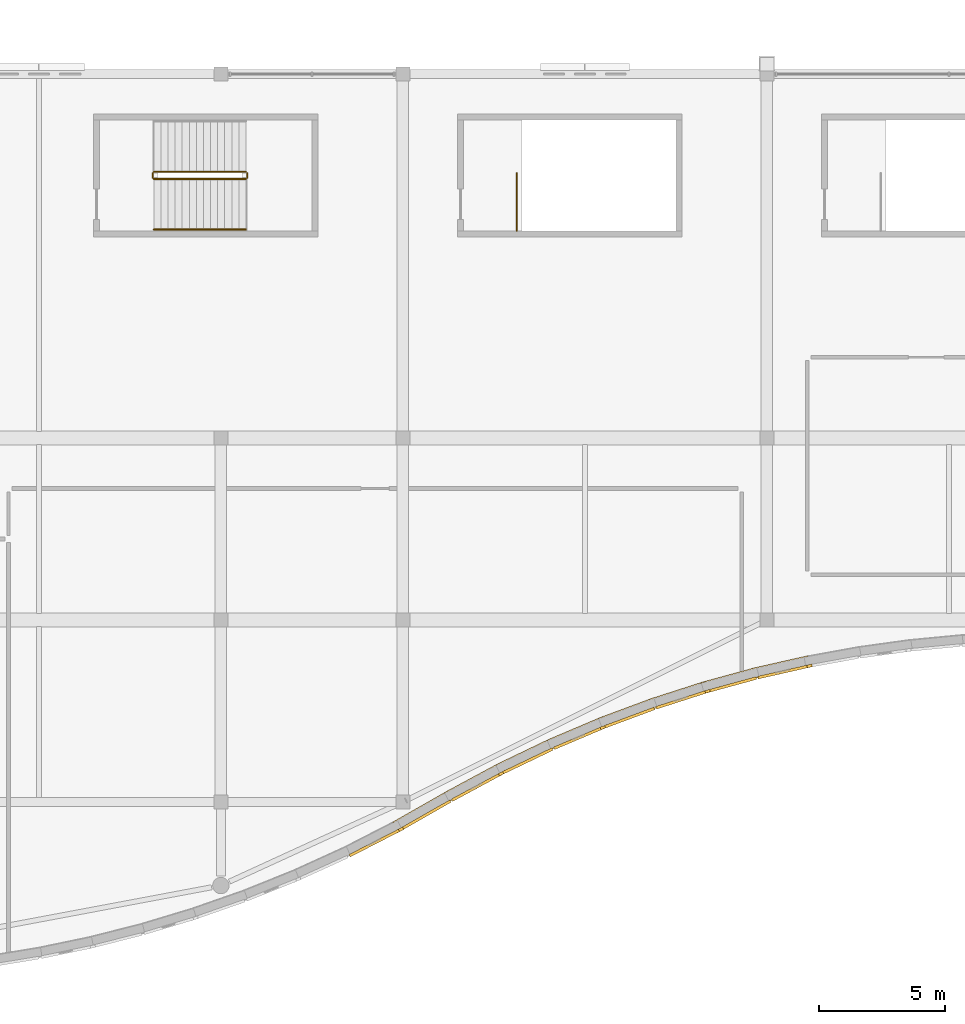
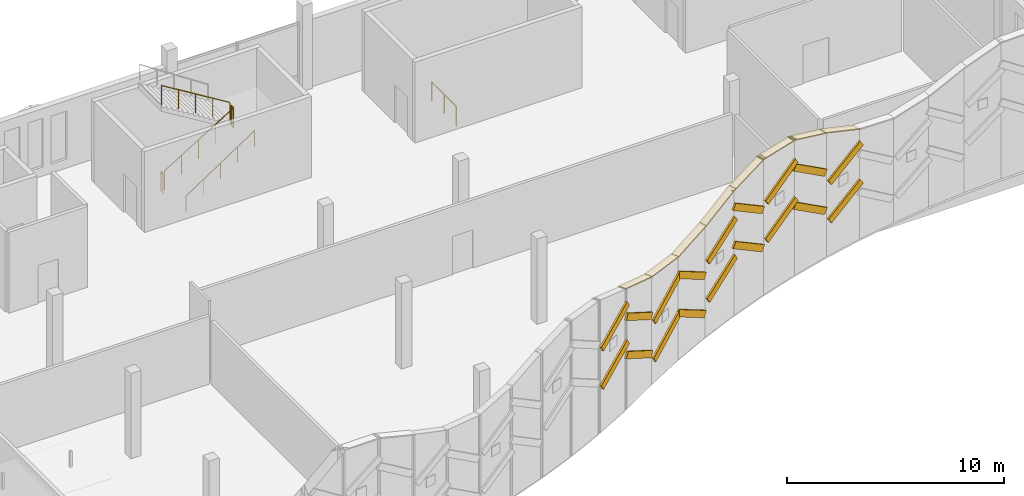
# One storey, part 107 of 116: 26 coverings, 6 railings.
"""IFC4 building model written with IfcOpenShell, lengths in metres."""

from ifc_helpers import new_model, si_unit, direction, frame, origin, origin_2d, place, context, subcontext, project, spatial, polyline, circle, outline, extrude, material, layer, layer_set, type_object, element, save


model = new_model("IFC4")

# Units and contexts
model_context = context("Model", 3, precision=1e-05, world=origin(), true_north=direction((0.0, 1.0)))
body_context = subcontext(model_context, "Body", "Model", "MODEL_VIEW")
ifc_project = project(units=[si_unit("LENGTHUNIT", "METRE"), si_unit("AREAUNIT", "SQUARE_METRE"), si_unit("VOLUMEUNIT", "CUBIC_METRE"), si_unit("PLANEANGLEUNIT", "RADIAN"), si_unit("MASSUNIT", "GRAM", prefix="KILO")], contexts=[model_context])

# Site, building, storey
site_placement = place(None, origin())
site = spatial("IfcSite", under=ifc_project, at=site_placement, CompositionType="ELEMENT")
building_placement = place(site_placement, origin())
building = spatial("IfcBuilding", under=site, at=building_placement, Name="Cendralis Lancet Convention Centre", CompositionType="ELEMENT")
storey_placement = place(building_placement, frame((0.0, 0.0, 15.0)))
storey = spatial("IfcBuildingStorey", under=building, at=storey_placement, Name="L03", CompositionType="ELEMENT", Elevation=15.0)

# Coverings
ifc_material_1 = material(Name="Warm buff sandstone chevron cassette", Category="masonry")
ifc_layer_1 = layer(ifc_material_1, 0.06005859375, Name="Warm buff sandstone chevron cassette")
ifc_layer_set_1 = layer_set([ifc_layer_1], Name="Warm buff sandstone chevron cassette")
covering_type_1 = type_object("IfcCoveringType", Name="ARC-CV-CLAD1", PredefinedType="CLADDING", material=ifc_layer_set_1)
covering_1_placement = place(storey_placement, frame((77.115478515625, 5.026611328125, 2.69189453125), z_axis=(-0.453169211668, -0.232525026212, 0.860563639588), x_axis=(0.765535340132, 0.393097238093, 0.509342914364)))
element("IfcCovering", 1, at=covering_1_placement, inside=storey, type_object=covering_type_1, Name="L03 Diagonal Stone Chevron Relief CL-ST1 #0233", PredefinedType="CLADDING", context=body_context, shape_type="SweptSolid", body=[
    extrude(outline(polyline([(0.0, 0.0), (2.552545295401891, -1.2378878304353247e-16), (2.5524326526210803, 0.10984582912053485), (0.00017022650098245246, 0.10995151521454635), (0.0, 0.0)])), origin(), (0.0, 0.0, -1.0), 0.360107421875),
])
covering_2_placement = place(storey_placement, frame((79.14990234375, 6.073486328125, 3.283935546875), z_axis=(0.434530834935, 0.247510539439, 0.865980072725), x_axis=(0.75221047519, 0.429069874385, -0.500078437758)))
element("IfcCovering", 2, at=covering_2_placement, inside=storey, type_object=covering_type_1, Name="L03 Diagonal Stone Chevron Relief CL-ST1 #0239", PredefinedType="CLADDING", context=body_context, shape_type="SweptSolid", body=[
    extrude(outline(polyline([(0.0, 0.0), (2.5997421492661177, -8.164042358815848e-17), (2.5997478584744025, 0.10989311230682211), (0.00011046259558545463, 0.11010519697066531), (0.0, 0.0)])), origin(), (0.0, 0.0, -1.0), 0.360107421875),
])
covering_3_placement = place(storey_placement, frame((81.169921875, 7.224609375, 1.485107421875), z_axis=(-0.44500054916, -0.239054519473, 0.863033862584), x_axis=(0.759596176743, 0.409684783642, 0.505145549648)))
element("IfcCovering", 3, at=covering_3_placement, inside=storey, type_object=covering_type_1, Name="L03 Diagonal Stone Chevron Relief CL-ST1 #0245", PredefinedType="CLADDING", context=body_context, shape_type="SweptSolid", body=[
    extrude(outline(polyline([(0.0, 0.0), (2.5731789045651636, -1.6588293239028218e-16), (2.5732866166442854, 0.10977774205394614), (0.00020773277825329728, 0.10999267058651897), (0.0, 0.0)])), origin(), (0.0, 0.0, -1.0), 0.360107421875),
])
covering_4_placement = place(storey_placement, frame((83.184814453125, 8.309326171875, 2.8701171875), z_axis=(0.463830927058, 0.222501920729, 0.857527705894), x_axis=(0.773135261719, 0.37096581402, -0.514437782356)))
element("IfcCovering", 4, at=covering_4_placement, inside=storey, type_object=covering_type_1, Name="L03 Diagonal Stone Chevron Relief CL-ST1 #0251", PredefinedType="CLADDING", context=body_context, shape_type="SweptSolid", body=[
    extrude(outline(polyline([(0.0, 0.0), (2.527170755961594, 1.4747860051234074e-16), (2.5271343166199913, 0.1099611557698517), (5.412848408579973e-05, 0.11018127223978118), (0.0, 0.0)])), origin(), (0.0, 0.0, -1.0), 0.360107421875),
])
covering_5_placement = place(storey_placement, frame((85.2001953125, 9.274658203125, 2.18310546875), z_axis=(-0.481324551247, -0.204128002457, 0.852442628556), x_axis=(0.784918524576, 0.332507709773, 0.522820746259)))
element("IfcCovering", 5, at=covering_5_placement, inside=storey, type_object=covering_type_1, Name="L03 Diagonal Stone Chevron Relief CL-ST1 #0257", PredefinedType="CLADDING", context=body_context, shape_type="SweptSolid", body=[
    extrude(outline(polyline([(0.0, 0.0), (2.48613831184349, -2.1819568721270777e-17), (2.486100479624338, 0.11005326888251596), (-3.783221915188567e-05, 0.1100532688825159), (0.0, 0.0)])), origin(), (0.0, 0.0, -1.0), 0.360107421875),
])
covering_6_placement = place(storey_placement, frame((87.21484375, 10.12646484375, 4.18408203125), z_axis=(0.496802331146, 0.18461057039, 0.84800140393), x_axis=(0.794957441953, 0.295210189274, -0.529993971317)))
element("IfcCovering", 6, at=covering_6_placement, inside=storey, type_object=covering_type_1, Name="L03 Diagonal Stone Chevron Relief CL-ST1 #0263", PredefinedType="CLADDING", context=body_context, shape_type="SweptSolid", body=[
    extrude(outline(polyline([(0.0, 0.0), (2.4529141619942028, 6.020032562725763e-17), (2.4529301755870803, 0.11015531584904076), (-5.605920723799132e-05, 0.10992645177011376), (0.0, 0.0)])), origin(), (0.0, 0.0, -1.0), 0.360107421875),
])
covering_7_placement = place(storey_placement, frame((89.229248046875, 10.873046875, 3.16796875), z_axis=(-0.510369094256, -0.164174673677, 0.844138652208), x_axis=(0.80363363446, 0.258346768482, 0.536124919005)))
element("IfcCovering", 7, at=covering_7_placement, inside=storey, type_object=covering_type_1, Name="L03 Diagonal Stone Chevron Relief CL-ST1 #0269", PredefinedType="CLADDING", context=body_context, shape_type="SweptSolid", body=[
    extrude(outline(polyline([(0.0, 0.0), (2.4248990898176555, 1.1221492485224971e-17), (2.424881834476677, 0.11002185685791445), (-1.7255340978114542e-05, 0.11002185685791444), (0.0, 0.0)])), origin(), (0.0, 0.0, -1.0), 0.360107421875),
])
covering_8_placement = place(storey_placement, frame((91.243408203125, 11.518798828125, 4.135009765625), z_axis=(0.522089233739, 0.142224308501, 0.840948915265), x_axis=(0.811166937648, 0.221818556948, -0.541114338251)))
element("IfcCovering", 8, at=covering_8_placement, inside=storey, type_object=covering_type_1, Name="L03 Diagonal Stone Chevron Relief CL-ST1 #0275", PredefinedType="CLADDING", context=body_context, shape_type="SweptSolid", body=[
    extrude(outline(polyline([(0.0, 0.0), (2.402639019591153, 1.1622647289044608e-16), (2.4026297927093947, 0.11010334298029256), (0.00018881192137900835, 0.11003901249019758), (0.0, 0.0)])), origin(), (0.0, 0.0, -1.0), 0.360107421875),
])
covering_9_placement = place(storey_placement, frame((93.258544921875, 12.068359375, 2.136962890625), z_axis=(-0.532354053644, -0.119915930172, 0.837985281052), x_axis=(0.81724675138, 0.185276760424, 0.545692467792)))
element("IfcCovering", 9, at=covering_9_placement, inside=storey, type_object=covering_type_1, Name="L03 Diagonal Stone Chevron Relief CL-ST1 #0281", PredefinedType="CLADDING", context=body_context, shape_type="SweptSolid", body=[
    extrude(outline(polyline([(0.0, 0.0), (2.3824061562739045, -3.881443777498106e-17), (2.382510909555075, 0.10986919805694208), (0.0001499868652585952, 0.11010731874686307), (0.0, 0.0)])), origin(), (0.0, 0.0, -1.0), 0.360107421875),
])
ifc_material_2 = material(Name="Dark Andean slate chevron cassette", Category="masonry")
ifc_layer_2 = layer(ifc_material_2, 0.06005859375, Name="Dark Andean slate chevron cassette")
ifc_layer_set_2 = layer_set([ifc_layer_2], Name="Dark Andean slate chevron cassette")
covering_type_2 = type_object("IfcCoveringType", Name="ARC-CV-CLAD2", PredefinedType="CLADDING", material=ifc_layer_set_2)
covering_10_placement = place(storey_placement, frame((77.115478515625, 5.026611328125, 4.842041015625), z_axis=(-0.453169211668, -0.232525026212, 0.860563639588), x_axis=(0.765535340132, 0.393097238093, 0.509342914364)))
element("IfcCovering", 10, at=covering_10_placement, inside=storey, type_object=covering_type_2, Name="L03 Diagonal Stone Chevron Relief CL-ST2 #0234", PredefinedType="CLADDING", context=body_context, shape_type="SweptSolid", body=[
    extrude(outline(polyline([(0.0, 0.0), (2.552545295401891, -1.2378878304353247e-16), (2.5524326526210803, 0.10984582912053485), (0.00017022650098245246, 0.10995151521454635), (0.0, 0.0)])), origin(), (0.0, 0.0, -1.0), 0.360107421875),
])
covering_11_placement = place(storey_placement, frame((79.019287109375, 6.05078125, 6.890380859375), z_axis=(0.265671697924, 0.151685380408, 0.952055720162), x_axis=(0.826981608589, 0.471711276008, -0.305924649452)))
element("IfcCovering", 11, at=covering_11_placement, inside=storey, type_object=covering_type_2, Name="Wave Ribbon Sinusoidal Slate Coping W-039", PredefinedType="CLADDING", context=body_context, shape_type="SweptSolid", body=[
    extrude(outline(polyline([(0.0, 0.0), (2.627153251427436, 1.261198177143763e-16), (2.6269875615421743, 0.4200101920586249), (-0.00016568988526199924, 0.4200101920586249), (0.0, 0.0)])), origin(), (0.0, 0.0, -1.0), 0.06005859375),
])
covering_12_placement = place(storey_placement, frame((79.14990234375, 6.073486328125, 5.43408203125), z_axis=(0.434530834935, 0.247510539439, 0.865980072725), x_axis=(0.75221047519, 0.429069874385, -0.500078437758)))
element("IfcCovering", 12, at=covering_12_placement, inside=storey, type_object=covering_type_2, Name="L03 Diagonal Stone Chevron Relief CL-ST2 #0240", PredefinedType="CLADDING", context=body_context, shape_type="SweptSolid", body=[
    extrude(outline(polyline([(0.0, 0.0), (2.5997421492661177, -8.164042358815848e-17), (2.5997478584744025, 0.10989311230682211), (0.00011046259558545463, 0.11010519697066531), (0.0, 0.0)])), origin(), (0.0, 0.0, -1.0), 0.360107421875),
])
covering_13_placement = place(storey_placement, frame((81.03857421875, 7.205078125, 6.129150390625), z_axis=(0.098373699279, 0.053020435014, 0.993736106198), x_axis=(0.874671973485, 0.471657066201, -0.11175218433)))
element("IfcCovering", 13, at=covering_13_placement, inside=storey, type_object=covering_type_2, Name="Wave Ribbon Sinusoidal Slate Coping W-040", PredefinedType="CLADDING", context=body_context, shape_type="SweptSolid", body=[
    extrude(outline(polyline([(0.0, 0.0), (2.4861440777738797, 2.1953399926936956e-16), (2.4862311060609645, 0.41989716730791526), (8.702828708476162e-05, 0.41989716730791493), (0.0, 0.0)])), origin(), (0.0, 0.0, -1.0), 0.06005859375),
])
covering_14_placement = place(storey_placement, frame((81.169921875, 7.224609375, 3.635009765625), z_axis=(-0.445062800248, -0.239087960789, 0.862992497558), x_axis=(0.759559769537, 0.409665147582, 0.505216214465)))
element("IfcCovering", 14, at=covering_14_placement, inside=storey, type_object=covering_type_2, Name="L03 Diagonal Stone Chevron Relief CL-ST2 #0246", PredefinedType="CLADDING", context=body_context, shape_type="SweptSolid", body=[
    extrude(outline(polyline([(0.0, 0.0), (2.5733022373520664, -1.0061396160665481e-16), (2.573409944268875, 0.10977774205792602), (0.0002077228219798527, 0.10999267060423891), (0.0, 0.0)])), origin(), (0.0, 0.0, -1.0), 0.360107421875),
])
covering_15_placement = place(storey_placement, frame((83.052490234375, 8.2958984375, 5.84423828125), z_axis=(-0.169169975034, -0.081123081808, 0.982242620306), x_axis=(0.885610339473, 0.424846904828, 0.187615122196)))
element("IfcCovering", 15, at=covering_15_placement, inside=storey, type_object=covering_type_2, Name="Wave Ribbon Sinusoidal Slate Coping W-041", PredefinedType="CLADDING", context=body_context, shape_type="SweptSolid", body=[
    extrude(outline(polyline([(0.0, 0.0), (2.4606768878618066, -9.204198818044129e-17), (2.4607912198258246, 0.4201943000203492), (1.0609575144399086e-05, 0.41997417720151337), (0.0, 0.0)])), origin(), (0.0, 0.0, -1.0), 0.06005859375),
])
covering_16_placement = place(storey_placement, frame((83.184814453125, 8.309326171875, 5.02001953125), z_axis=(0.463830927058, 0.222501920729, 0.857527705894), x_axis=(0.773135261719, 0.37096581402, -0.514437782356)))
element("IfcCovering", 16, at=covering_16_placement, inside=storey, type_object=covering_type_2, Name="L03 Diagonal Stone Chevron Relief CL-ST2 #0252", PredefinedType="CLADDING", context=body_context, shape_type="SweptSolid", body=[
    extrude(outline(polyline([(0.0, 0.0), (2.527170755961594, 1.4747860051234074e-16), (2.5271343166199913, 0.1099611557698517), (5.412848408579973e-05, 0.11018127223978118), (0.0, 0.0)])), origin(), (0.0, 0.0, -1.0), 0.360107421875),
])
covering_17_placement = place(storey_placement, frame((85.0673828125, 9.26708984375, 6.251708984375), z_axis=(-0.318420129656, -0.134743260924, 0.938324503924), x_axis=(0.863944487716, 0.366132253158, 0.345755831972)))
element("IfcCovering", 17, at=covering_17_placement, inside=storey, type_object=covering_type_2, Name="Wave Ribbon Sinusoidal Slate Coping W-042", PredefinedType="CLADDING", context=body_context, shape_type="SweptSolid", body=[
    extrude(outline(polyline([(0.0, 0.0), (2.5251888769704727, 6.900946827870236e-17), (2.5252491156777284, 0.419985523299457), (0.00036055041157068146, 0.42011506840849056), (0.0, 0.0)])), origin(), (0.0, 0.0, -1.0), 0.06005859375),
])
covering_18_placement = place(storey_placement, frame((85.2001953125, 9.274658203125, 4.3330078125), z_axis=(-0.481390240881, -0.204155861193, 0.852398862227), x_axis=(0.784878225092, 0.332490638078, 0.522892099163)))
element("IfcCovering", 18, at=covering_18_placement, inside=storey, type_object=covering_type_2, Name="L03 Diagonal Stone Chevron Relief CL-ST2 #0258", PredefinedType="CLADDING", context=body_context, shape_type="SweptSolid", body=[
    extrude(outline(polyline([(0.0, 0.0), (2.4862659623375394, 2.4069288229178198e-17), (2.486228132060779, 0.11005326888318359), (-3.783027676055456e-05, 0.11005326888318362), (0.0, 0.0)])), origin(), (0.0, 0.0, -1.0), 0.360107421875),
])
covering_19_placement = place(storey_placement, frame((87.081787109375, 10.125244140625, 7.061279296875), z_axis=(-0.25361718846, -0.094133263438, 0.962713483043), x_axis=(0.902522731818, 0.335067111846, 0.270523102731)))
element("IfcCovering", 19, at=covering_19_placement, inside=storey, type_object=covering_type_2, Name="Wave Ribbon Sinusoidal Slate Coping W-043", PredefinedType="CLADDING", context=body_context, shape_type="SweptSolid", body=[
    extrude(outline(polyline([(0.0, 0.0), (2.4205100857869057, -1.3793084513089027e-16), (2.420473985945496, 0.420075852079677), (0.00010243912830970592, 0.41976200467728564), (0.0, 0.0)])), origin(), (0.0, 0.0, -1.0), 0.06005859375),
])
covering_20_placement = place(storey_placement, frame((87.21484375, 10.12646484375, 6.333984375), z_axis=(0.496802331146, 0.18461057039, 0.84800140393), x_axis=(0.794957441953, 0.295210189274, -0.529993971317)))
element("IfcCovering", 20, at=covering_20_placement, inside=storey, type_object=covering_type_2, Name="L03 Diagonal Stone Chevron Relief CL-ST2 #0264", PredefinedType="CLADDING", context=body_context, shape_type="SweptSolid", body=[
    extrude(outline(polyline([(0.0, 0.0), (2.4529141619942028, 6.020032562725763e-17), (2.4529301755870803, 0.11015531584904076), (-5.605920723799132e-05, 0.10992645177011376), (0.0, 0.0)])), origin(), (0.0, 0.0, -1.0), 0.360107421875),
])
covering_21_placement = place(storey_placement, frame((89.096435546875, 10.877685546875, 7.68994140625), z_axis=(0.01446914678, 0.00464779921, 0.999884514209), x_axis=(0.951919721279, 0.305970400531, -0.015197310229)))
element("IfcCovering", 21, at=covering_21_placement, inside=storey, type_object=covering_type_2, Name="Wave Ribbon Sinusoidal Slate Coping W-044", PredefinedType="CLADDING", context=body_context, shape_type="SweptSolid", body=[
    extrude(outline(polyline([(0.0, 0.0), (2.2972184916971012, 2.283539415908918e-16), (2.2973331749678403, 0.4200155307629052), (3.9983465921447636e-05, 0.41978310164176486), (0.0, 0.0)])), origin(), (0.0, 0.0, -1.0), 0.06005859375),
])
covering_22_placement = place(storey_placement, frame((89.229248046875, 10.873046875, 5.31689453125), z_axis=(-0.510369094256, -0.164174673677, 0.844138652208), x_axis=(0.80363363446, 0.258346768482, 0.536124919005)))
element("IfcCovering", 22, at=covering_22_placement, inside=storey, type_object=covering_type_2, Name="L03 Diagonal Stone Chevron Relief CL-ST2 #0270", PredefinedType="CLADDING", context=body_context, shape_type="SweptSolid", body=[
    extrude(outline(polyline([(0.0, 0.0), (2.4248990898176555, 1.1221492485224971e-17), (2.424881834476677, 0.11002185685791445), (-1.7255340978114542e-05, 0.11002185685791444), (0.0, 0.0)])), origin(), (0.0, 0.0, -1.0), 0.360107421875),
])
covering_23_placement = place(storey_placement, frame((91.111083984375, 11.529296875, 7.686279296875), z_axis=(0.281458942749, 0.077000518233, 0.956478846467), x_axis=(0.922602698714, 0.25230149597, -0.291801671442)))
element("IfcCovering", 23, at=covering_23_placement, inside=storey, type_object=covering_type_2, Name="Wave Ribbon Sinusoidal Slate Coping W-045", PredefinedType="CLADDING", context=body_context, shape_type="SweptSolid", body=[
    extrude(outline(polyline([(0.0, 0.0), (2.373653105215541, -6.871808894484688e-17), (2.37358146376009, 0.41992165587015523), (-1.0044410536633186e-05, 0.4201571490720472), (0.0, 0.0)])), origin(), (0.0, 0.0, -1.0), 0.06005859375),
])
covering_24_placement = place(storey_placement, frame((91.243408203125, 11.518798828125, 6.284912109375), z_axis=(0.522019891131, 0.142205418618, 0.84099515586), x_axis=(0.811211540616, 0.221830753898, -0.541042468755)))
element("IfcCovering", 24, at=covering_24_placement, inside=storey, type_object=covering_type_2, Name="L03 Diagonal Stone Chevron Relief CL-ST2 #0276", PredefinedType="CLADDING", context=body_context, shape_type="SweptSolid", body=[
    extrude(outline(polyline([(0.0, 0.0), (2.4025069258174474, -3.2634485391813683e-17), (2.4024976984279314, 0.1101033429851492), (0.00018882230301737676, 0.11003901247728579), (0.0, 0.0)])), origin(), (0.0, 0.0, -1.0), 0.360107421875),
])
covering_25_placement = place(storey_placement, frame((93.126708984375, 12.084716796875, 7.059814453125), z_axis=(0.339903478805, 0.076974566118, 0.937304935049), x_axis=(0.914113780145, 0.207211348358, -0.34851033566)))
element("IfcCovering", 25, at=covering_25_placement, inside=storey, type_object=covering_type_2, Name="Wave Ribbon Sinusoidal Slate Coping W-046", PredefinedType="CLADDING", context=body_context, shape_type="SweptSolid", body=[
    extrude(outline(polyline([(0.0, 0.0), (2.39650016847861, 4.9168568522217626e-17), (2.3965825430121455, 0.42004136527222374), (8.237453353547586e-05, 0.42004136527222363), (0.0, 0.0)])), origin(), (0.0, 0.0, -1.0), 0.06005859375),
])
covering_26_placement = place(storey_placement, frame((93.258544921875, 12.068359375, 4.287109375), z_axis=(-0.532283845069, -0.119900115271, 0.838032141768), x_axis=(0.817292452323, 0.185287121214, 0.545620500062)))
element("IfcCovering", 26, at=covering_26_placement, inside=storey, type_object=covering_type_2, Name="L03 Diagonal Stone Chevron Relief CL-ST2 #0282", PredefinedType="CLADDING", context=body_context, shape_type="SweptSolid", body=[
    extrude(outline(polyline([(0.0, 0.0), (2.382272940615673, -4.8138576458356397e-17), (2.382377699754577, 0.10986919805161412), (0.00014999525248205609, 0.11010731873569443), (0.0, 0.0)])), origin(), (0.0, 0.0, -1.0), 0.360107421875),
])

# Railings
ifc_material_3 = material(Name="Steel S355", Category="steel")
railing_type_1 = type_object("IfcRailingType", Name="ARC-RL-CGD", PredefinedType="GUARDRAIL", material=ifc_material_3)
railing_1_placement = place(storey_placement, frame((69.35009765625, 31.85009765625, 0.17138671875)))
element("IfcRailing", 27, at=railing_1_placement, inside=storey, type_object=railing_type_1, Name="L03 ST-12 stair guard 1", PredefinedType="GUARDRAIL", context=body_context, shape_type="SweptSolid", body=[
    extrude(circle(Radius=0.02392578125, at=origin_2d()), frame((0.0, 0.0, 1.076171875), z_axis=(0.852850264322, 0.0, 0.5221555579), x_axis=(0.0, 1.0, 0.0)), (0.0, 0.0, 1.0), 4.267822265625),
    extrude(circle(Radius=0.02099609375, at=origin_2d()), origin(), (0.0, 0.0, 1.0), 1.052001953125),
    extrude(circle(Radius=0.02099609375, at=origin_2d()), frame((0.909912109375, 0.0, 0.55712890625)), (0.0, 0.0, 1.0), 1.052001953125),
    extrude(circle(Radius=0.02099609375, at=origin_2d()), frame((1.81982421875, 0.0, 1.1142578125)), (0.0, 0.0, 1.0), 1.052001953125),
    extrude(circle(Radius=0.02099609375, at=origin_2d()), frame((2.72998046875, 0.0, 1.67138671875)), (0.0, 0.0, 1.0), 1.052001953125),
    extrude(circle(Radius=0.02099609375, at=origin_2d()), frame((3.639892578125, 0.0, 2.228515625)), (0.0, 0.0, 1.0), 1.052001953125),
])
railing_2_placement = place(storey_placement, frame((73.0400390625, 31.89990234375, 2.39990234375)))
element("IfcRailing", 28, at=railing_2_placement, inside=storey, type_object=railing_type_1, Name="L03 ST-12 stair guard 2", PredefinedType="GUARDRAIL", context=body_context, shape_type="SweptSolid", body=[
    extrude(circle(Radius=0.02392578125, at=origin_2d()), frame((0.0, 0.0, 1.076171875), z_axis=(0.0, 1.0, 0.0), x_axis=(-1.0, 0.0, 0.0)), (0.0, 0.0, 1.0), 0.18017578125),
    extrude(circle(Radius=0.02099609375, at=origin_2d()), origin(), (0.0, 0.0, 1.0), 1.052001953125),
    extrude(circle(Radius=0.02099609375, at=origin_2d()), frame((0.0, 0.18017578125, 0.0)), (0.0, 0.0, 1.0), 1.052001953125),
])
railing_3_placement = place(storey_placement, frame((72.989990234375, 32.1298828125, 2.571533203125)))
element("IfcRailing", 29, at=railing_3_placement, inside=storey, type_object=railing_type_1, Name="L03 ST-12 stair guard 3", PredefinedType="GUARDRAIL", context=body_context, shape_type="SweptSolid", body=[
    extrude(circle(Radius=0.02392578125, at=origin_2d()), frame((0.0, 0.0, 1.076171875), z_axis=(-0.852850264322, 0.0, 0.5221555579), x_axis=(0.0, -1.0, 0.0)), (0.0, 0.0, 1.0), 4.267822265625),
    extrude(circle(Radius=0.02099609375, at=origin_2d()), origin(), (0.0, 0.0, 1.0), 1.052001953125),
    extrude(circle(Radius=0.02099609375, at=origin_2d()), frame((-0.909912109375, 0.0, 0.55712890625)), (0.0, 0.0, 1.0), 1.052001953125),
    extrude(circle(Radius=0.02099609375, at=origin_2d()), frame((-1.81982421875, 0.0, 1.1142578125)), (0.0, 0.0, 1.0), 1.052001953125),
    extrude(circle(Radius=0.02099609375, at=origin_2d()), frame((-2.72998046875, 0.0, 1.67138671875)), (0.0, 0.0, 1.0), 1.052001953125),
    extrude(circle(Radius=0.02099609375, at=origin_2d()), frame((-3.639892578125, 0.0, 2.228515625)), (0.0, 0.0, 1.0), 1.052001953125),
])
railing_4_placement = place(storey_placement, frame((69.300048828125, 31.89990234375, 0.0)))
element("IfcRailing", 30, at=railing_4_placement, inside=storey, type_object=railing_type_1, Name="L03 ST-12 stair guard 4", PredefinedType="GUARDRAIL", context=body_context, shape_type="SweptSolid", body=[
    extrude(circle(Radius=0.02392578125, at=origin_2d()), frame((0.0, 0.0, 1.076171875), z_axis=(0.0, 1.0, 0.0), x_axis=(-1.0, 0.0, 0.0)), (0.0, 0.0, 1.0), 0.18017578125),
    extrude(circle(Radius=0.02099609375, at=origin_2d()), origin(), (0.0, 0.0, 1.0), 1.052001953125),
    extrude(circle(Radius=0.02099609375, at=origin_2d()), frame((0.0, 0.18017578125, 0.0)), (0.0, 0.0, 1.0), 1.052001953125),
])
railing_5_placement = place(storey_placement, frame((83.699951171875, 29.800048828125, 0.0)))
element("IfcRailing", 31, at=railing_5_placement, inside=storey, type_object=railing_type_1, Name="L03 ST-21 top well guard 1", PredefinedType="GUARDRAIL", context=body_context, shape_type="SweptSolid", body=[
    extrude(circle(Radius=0.02392578125, at=origin_2d()), frame((0.0, 0.0, 1.076171875), z_axis=(0.0, 1.0, 0.0), x_axis=(-1.0, 0.0, 0.0)), (0.0, 0.0, 1.0), 2.280029296875),
    extrude(circle(Radius=0.02099609375, at=origin_2d()), origin(), (0.0, 0.0, 1.0), 1.052001953125),
    extrude(circle(Radius=0.02099609375, at=origin_2d()), frame((0.0, 1.14013671875, 0.0)), (0.0, 0.0, 1.0), 1.052001953125),
    extrude(circle(Radius=0.02099609375, at=origin_2d()), frame((0.0, 2.280029296875, 0.0)), (0.0, 0.0, 1.0), 1.052001953125),
])
railing_type_2 = type_object("IfcRailingType", Name="ARC-RL-CHR", PredefinedType="HANDRAIL", material=ifc_material_3)
railing_6_placement = place(storey_placement, frame((69.35009765625, 29.85009765625, 0.17138671875)))
element("IfcRailing", 32, at=railing_6_placement, inside=storey, type_object=railing_type_2, Name="L03 ST-12 stair handrail 1", PredefinedType="HANDRAIL", context=body_context, shape_type="SweptSolid", body=[
    extrude(circle(Radius=0.02392578125, at=origin_2d()), frame((0.0, 0.0, 0.8759765625), z_axis=(0.834839479206, 0.0, 0.550493454965), x_axis=(0.0, 1.0, 0.0)), (0.0, 0.0, 1.0), 4.360107421875),
    extrude(circle(Radius=0.02099609375, at=origin_2d()), origin(), (0.0, 0.0, 1.0), 0.851806640625),
    extrude(circle(Radius=0.02099609375, at=origin_2d()), frame((0.909912109375, 0.0, 0.60009765625)), (0.0, 0.0, 1.0), 0.851806640625),
    extrude(circle(Radius=0.02099609375, at=origin_2d()), frame((1.81982421875, 0.0, 1.2001953125)), (0.0, 0.0, 1.0), 0.851806640625),
    extrude(circle(Radius=0.02099609375, at=origin_2d()), frame((2.72998046875, 0.0, 1.800048828125)), (0.0, 0.0, 1.0), 0.851806640625),
    extrude(circle(Radius=0.02099609375, at=origin_2d()), frame((3.639892578125, 0.0, 2.400146484375)), (0.0, 0.0, 1.0), 0.851806640625),
])

save(model, "model.ifc")
